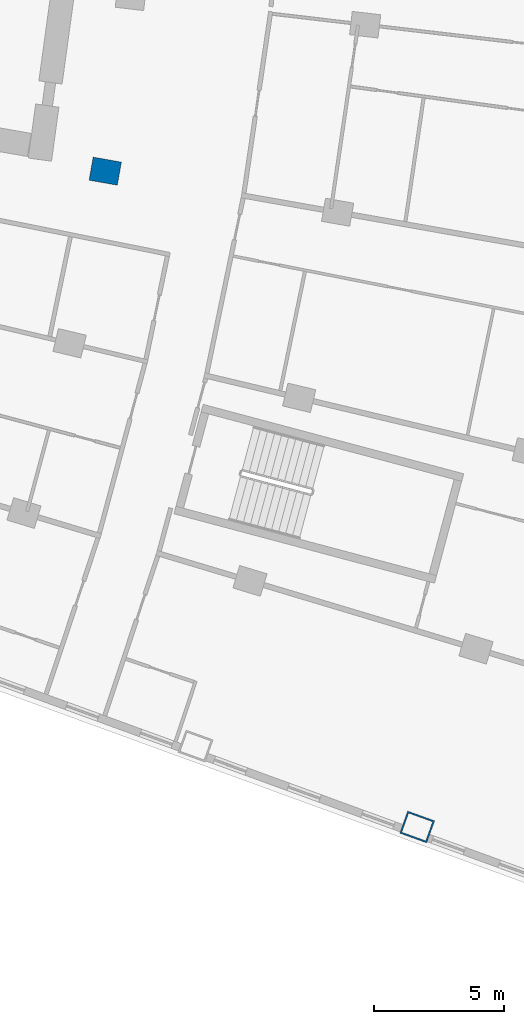
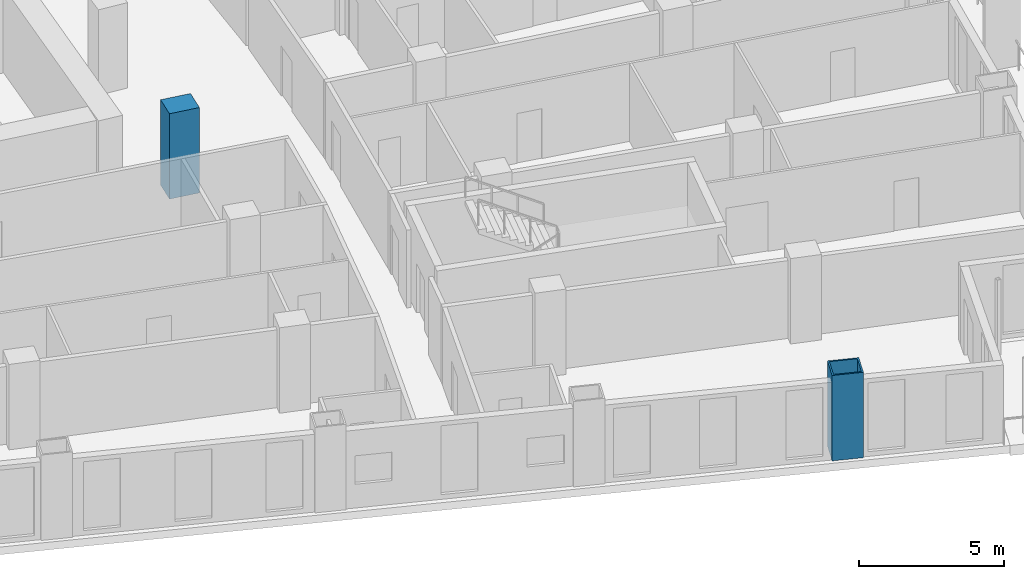
# One storey, part 3 of 22: 2 columns.
"""IFC4 building model written with IfcOpenShell, lengths in metres."""

from ifc_helpers import new_model, si_unit, direction, frame, origin, origin_2d, place, context, subcontext, project, spatial, rectangle, hollow_rectangle, extrude, material, material_profile, profile_set, type_object, element, save


model = new_model("IFC4")

# Units and contexts
model_context = context("Model", 3, precision=1e-05, world=origin(), true_north=direction((0.0, 1.0)))
body_context = subcontext(model_context, "Body", "Model", "MODEL_VIEW")
ifc_project = project(units=[si_unit("LENGTHUNIT", "METRE"), si_unit("AREAUNIT", "SQUARE_METRE"), si_unit("VOLUMEUNIT", "CUBIC_METRE"), si_unit("PLANEANGLEUNIT", "RADIAN"), si_unit("MASSUNIT", "GRAM", prefix="KILO")], contexts=[model_context])

# Site, building, storey
site_placement = place(None, origin())
site = spatial("IfcSite", under=ifc_project, at=site_placement, CompositionType="ELEMENT")
building_placement = place(site_placement, origin())
building = spatial("IfcBuilding", under=site, at=building_placement, Name="Alderwake Tower", CompositionType="ELEMENT")
storey_placement = place(building_placement, frame((0.0, 0.0, 50.0)))
storey = spatial("IfcBuildingStorey", under=building, at=storey_placement, Name="L11", CompositionType="ELEMENT", Elevation=50.0)

# Columns
ifc_material_1 = material(Name="Steel ASTM A572 Grade 50 concrete filled C70/85", Category="concrete")
ifc_material_profile_1 = material_profile(ifc_material_1, hollow_rectangle(XDim=0.89990234375, YDim=1.10009765625, WallThickness=0.06005859375, at=origin_2d()), Name="BOX 1100X900X60")
ifc_profile_set_1 = profile_set([ifc_material_profile_1], Name="Steel ASTM A572 Grade 50 concrete filled C70/85")
column_type_1 = type_object("IfcColumnType", Name="End column Z1", PredefinedType="COLUMN", material=ifc_profile_set_1)
column_1_placement = place(storey_placement, frame((46.017822265625, 15.638671875, 0.0), z_axis=(0.0, 0.0, 1.0), x_axis=(0.338687013201, 0.940899095062, 0.0)))
element("IfcColumn", 1, at=column_1_placement, inside=storey, type_object=column_type_1, Name="Column R01-C4", PredefinedType="COLUMN", context=body_context, shape_type="SweptSolid", body=[
    extrude(hollow_rectangle(XDim=0.89990234375, YDim=1.10009765625, WallThickness=0.06005859375, at=origin_2d()), origin(), (0.0, 0.0, 1.0), 3.60009765625),
])
ifc_material_2 = material(Name="Concrete C70/85", Category="concrete")
ifc_material_profile_2 = material_profile(ifc_material_2, rectangle(XDim=0.89990234375, YDim=1.10009765625, at=origin_2d()), Name="RC 1100X900")
ifc_profile_set_2 = profile_set([ifc_material_profile_2], Name="Concrete C70/85")
column_type_2 = type_object("IfcColumnType", Name="Interior column Z1", PredefinedType="COLUMN", material=ifc_profile_set_2)
column_2_placement = place(storey_placement, frame((34.03125, 40.83837890625, 0.0), z_axis=(0.0, 0.0, 1.0), x_axis=(0.174108800747, 0.984726421654, 0.0)))
element("IfcColumn", 2, at=column_2_placement, inside=storey, type_object=column_type_2, Name="Column R04-C2", PredefinedType="COLUMN", context=body_context, shape_type="SweptSolid", body=[
    extrude(rectangle(XDim=0.89990234375, YDim=1.10009765625, at=origin_2d()), origin(), (0.0, 0.0, 1.0), 3.60009765625),
])

save(model, "model.ifc")
